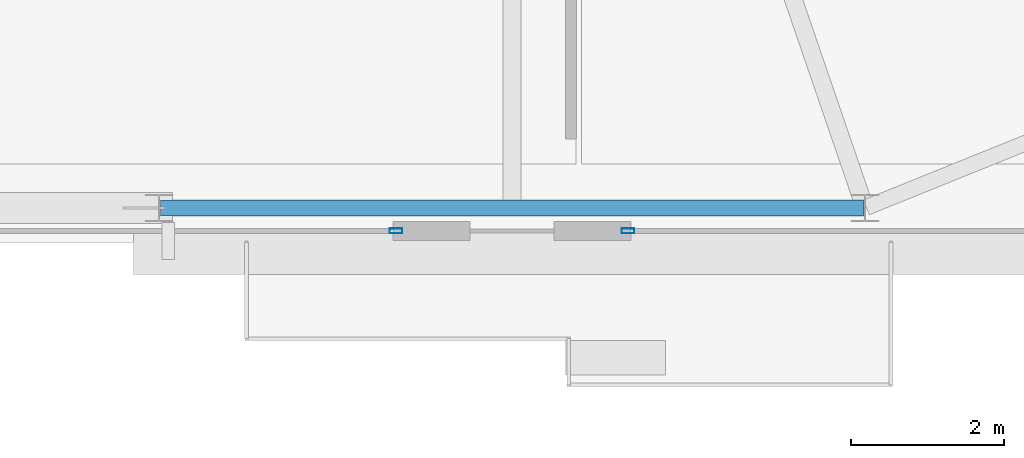
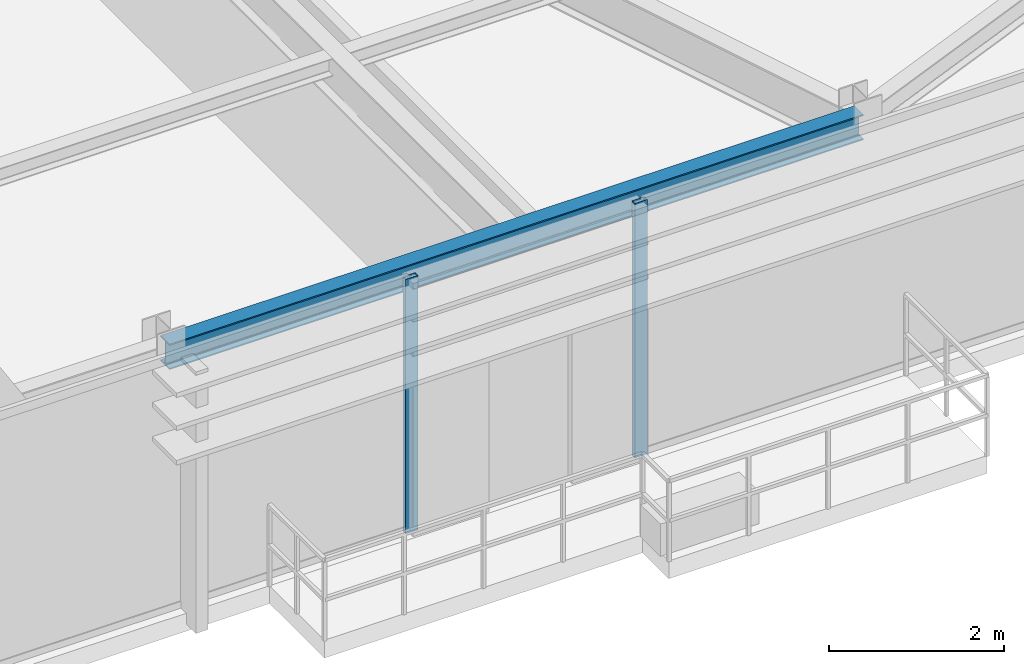
# One storey, part 12 of 31: 2 members, 1 beam, 2 elements without a shape of their own.
"""IFC4 building model written with IfcOpenShell, lengths in metres."""

from ifc_helpers import new_model, si_unit, direction, frame, origin, origin_2d, place, context, subcontext, project, spatial, hollow_rectangle, i_section, extrude, source, transform, mapped, material, layer, layer_set, material_profile, profile_set, type_object, type_shapes, element, aggregate, save


model = new_model("IFC4")

# Units and contexts
model_context = context("Model", 3, precision=1e-05, world=origin(), true_north=direction((0.0, 1.0)))
body_context = subcontext(model_context, "Body", "Model", "MODEL_VIEW")
ifc_project = project(units=[si_unit("LENGTHUNIT", "METRE"), si_unit("AREAUNIT", "SQUARE_METRE"), si_unit("VOLUMEUNIT", "CUBIC_METRE"), si_unit("PLANEANGLEUNIT", "RADIAN"), si_unit("MASSUNIT", "GRAM", prefix="KILO")], contexts=[model_context])

# Site, building, storey
site_placement = place(None, origin())
site = spatial("IfcSite", under=ifc_project, at=site_placement, CompositionType="ELEMENT")
building_placement = place(site_placement, origin())
building = spatial("IfcBuilding", under=site, at=building_placement, Name="Varnel Quay Broadcast Tower", CompositionType="ELEMENT")
storey_placement = place(building_placement, frame((0.0, 0.0, 239.39990234375)))
storey = spatial("IfcBuildingStorey", under=building, at=storey_placement, Name="L59", CompositionType="ELEMENT", Elevation=239.39990234375)

# Beam
ifc_material_1 = material(Name="Structural Steel CSA G40.21 350W", Category="steel")
ifc_material_profile_1 = material_profile(ifc_material_1, i_section(OverallWidth=0.205078125, OverallDepth=0.35400390625, WebThickness=0.009521484375, FlangeThickness=0.016845703125, FilletRadius=0.012939453125, at=origin_2d()), Name="W360X79")
ifc_profile_set_1 = profile_set([ifc_material_profile_1], Name="Structural Steel CSA G40.21 350W")
beam_type = type_object("IfcBeamType", Name="Beam_W360X79", PredefinedType="SPANDREL", material=ifc_profile_set_1)
shared_shape_1 = source(origin(), body_context, "Body", "SweptSolid", [
    extrude(i_section(OverallWidth=0.205078125, OverallDepth=0.35400390625, WebThickness=0.009521484375, FlangeThickness=0.016845703125, FilletRadius=0.012939453125, at=origin_2d()), origin(), (0.0, 0.0, 1.0), 9.159912109375),
])
type_shapes(beam_type, [shared_shape_1])
beam_placement = place(storey_placement, frame((38.6201171875, 10.64990234375, 3.373046875), z_axis=(1.0, 0.0, 0.0), x_axis=(0.0, 1.0, 0.0)))
element("IfcBeam", 1, at=beam_placement, inside=storey, type_object=beam_type, Name="L59 South Spandrel TC-S3-TC-S4", PredefinedType="SPANDREL", context=body_context, shape_type="MappedRepresentation", body=[
    mapped(shared_shape_1, transform((0.0, 0.0, 0.0), x_axis=(1.0, 0.0, 0.0), y_axis=(0.0, 1.0, 0.0), z_axis=(0.0, 0.0, 1.0), scale=1.0)),
])

# Curtain wall, member
ifc_material_2 = material(Name="Anodised Bronze Aluminium 6063-T6", Category="aluminium")
ifc_layer = layer(ifc_material_2, 0.18994140625, Name="Anodised Bronze Aluminium 6063-T6")
ifc_layer_set = layer_set([ifc_layer], Name="Anodised Bronze Aluminium 6063-T6")
curtain_wall_type = type_object("IfcCurtainWallType", Name="CW_UpperTower", PredefinedType="NOTDEFINED", material=ifc_layer_set)
curtain_wall_1_placement = place(storey_placement, origin())
curtain_wall_1 = element("IfcCurtainWall", 2, at=curtain_wall_1_placement, inside=storey, type_object=curtain_wall_type, Name="L59 South Unitised Curtain Wall 2", PredefinedType="NOTDEFINED")
ifc_material_profile_2 = material_profile(ifc_material_2, hollow_rectangle(XDim=0.06494140625, YDim=0.1650390625, WallThickness=0.00341796875, at=origin_2d()), Name="ALU65X165X3.5")
ifc_profile_set_2 = profile_set([ifc_material_profile_2], Name="Anodised Bronze Aluminium 6063-T6")
member_type = type_object("IfcMemberType", Name="Mull_CWS-03", PredefinedType="MULLION", material=ifc_profile_set_2)
shared_shape_2 = source(origin(), body_context, "Body", "SweptSolid", [
    extrude(hollow_rectangle(XDim=0.06494140625, YDim=0.1650390625, WallThickness=0.00341796875, at=origin_2d()), origin(), (0.0, 0.0, 1.0), 3.550048828125),
])
type_shapes(member_type, [shared_shape_2])
member_1_placement = place(storey_placement, frame((41.6875, 10.35009765625, 0.0), z_axis=(0.0, 0.0, 1.0), x_axis=(0.0, 1.0, 0.0)))
member_1 = element("IfcMember", 3, at=member_1_placement, type_object=member_type, Name="CWS-03 mullion 2", PredefinedType="MULLION", context=body_context, shape_type="MappedRepresentation", body=[
    mapped(shared_shape_2, transform((0.0, 0.0, 0.0), x_axis=(1.0, 0.0, 0.0), y_axis=(0.0, 1.0, 0.0), z_axis=(0.0, 0.0, 1.0), scale=1.0)),
])
aggregate(curtain_wall_1, [member_1])

curtain_wall_2_placement = place(storey_placement, origin())
curtain_wall_2 = element("IfcCurtainWall", 4, at=curtain_wall_2_placement, inside=storey, type_object=curtain_wall_type, Name="L59 South Unitised Curtain Wall 3", PredefinedType="NOTDEFINED")
member_2_placement = place(storey_placement, frame((44.71240234375, 10.35009765625, 0.0), z_axis=(0.0, 0.0, 1.0), x_axis=(0.0, 1.0, 0.0)))
member_2 = element("IfcMember", 5, at=member_2_placement, type_object=member_type, Name="CWS-03 mullion 1", PredefinedType="MULLION", context=body_context, shape_type="MappedRepresentation", body=[
    mapped(shared_shape_2, transform((0.0, 0.0, 0.0), x_axis=(1.0, 0.0, 0.0), y_axis=(0.0, 1.0, 0.0), z_axis=(0.0, 0.0, 1.0), scale=1.0)),
])
aggregate(curtain_wall_2, [member_2])

save(model, "model.ifc")
